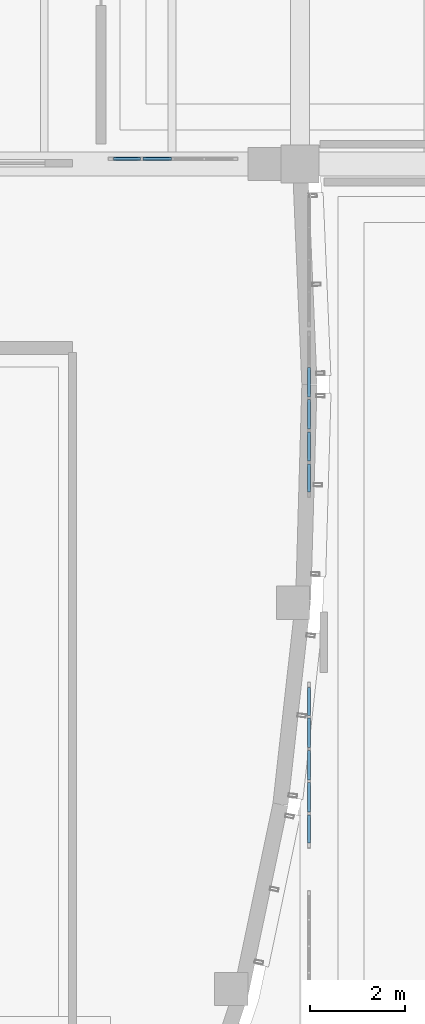
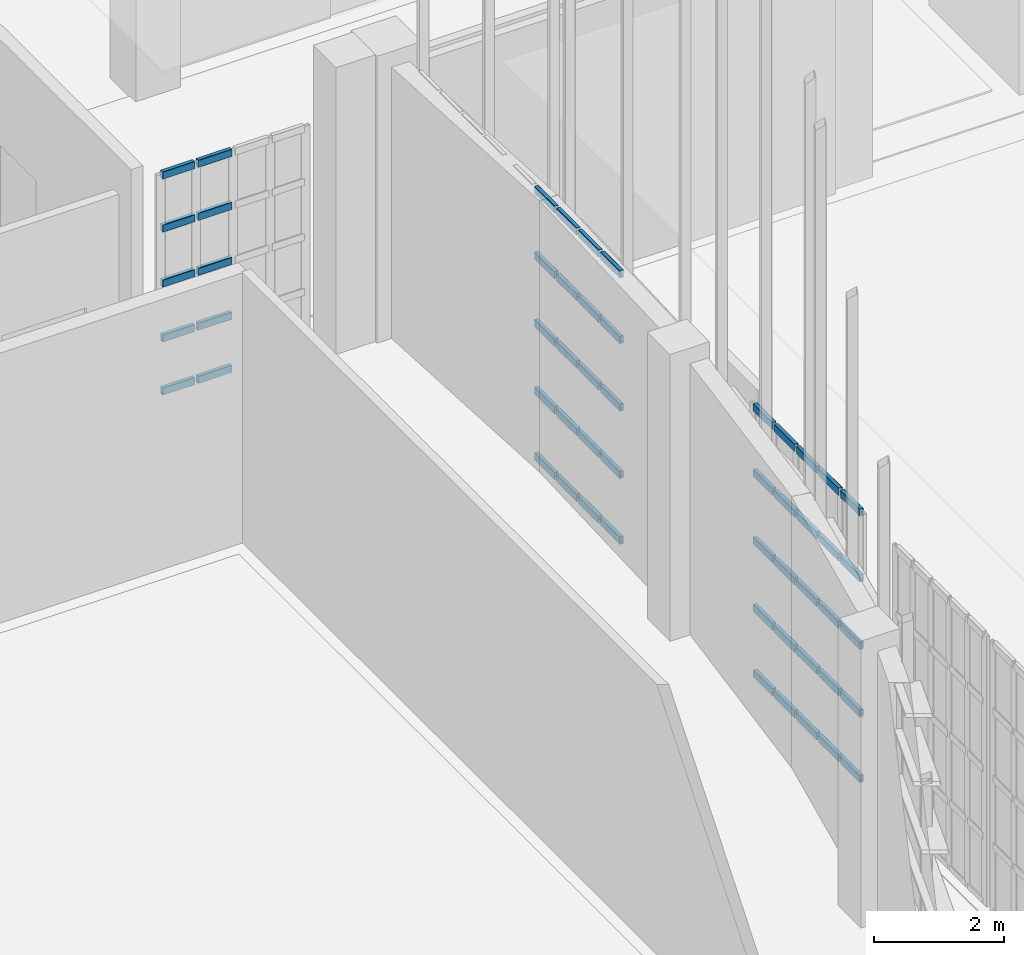
# One storey, part 315 of 372: 55 members, 3 elements without a shape of their own.
"""IFC4 building model written with IfcOpenShell, lengths in metres."""

from ifc_helpers import new_model, si_unit, direction, frame, origin, origin_2d, place, context, subcontext, project, spatial, hollow_rectangle, extrude, material, material_profile, profile_set, type_object, element, aggregate, save


model = new_model("IFC4")

# Units and contexts
model_context = context("Model", 3, precision=1e-05, world=origin(), true_north=direction((0.0, 1.0)))
body_context = subcontext(model_context, "Body", "Model", "MODEL_VIEW")
ifc_project = project(units=[si_unit("LENGTHUNIT", "METRE"), si_unit("AREAUNIT", "SQUARE_METRE"), si_unit("VOLUMEUNIT", "CUBIC_METRE"), si_unit("PLANEANGLEUNIT", "RADIAN"), si_unit("MASSUNIT", "GRAM", prefix="KILO")], contexts=[model_context])

# Site, building, storey
site_placement = place(None, origin())
site = spatial("IfcSite", under=ifc_project, at=site_placement, CompositionType="ELEMENT")
building_placement = place(site_placement, origin())
building = spatial("IfcBuilding", under=site, at=building_placement, Name="Kaelora Sail Theatre", CompositionType="ELEMENT")
storey_placement = place(building_placement, origin())
storey = spatial("IfcBuildingStorey", under=building, at=storey_placement, Name="L00", CompositionType="ELEMENT", Elevation=0.0)

# Curtain wall, members
ifc_material_1 = material(Name="Anodised aluminium and solar-control low-E IGU", Category="aluminium")
curtain_wall_type = type_object("IfcCurtainWallType", Name="ARC-CW-CW-FOY2", PredefinedType="NOTDEFINED", material=ifc_material_1)
curtain_wall_1_placement = place(storey_placement, origin())
curtain_wall_1 = element("IfcCurtainWall", 1, at=curtain_wall_1_placement, inside=storey, type_object=curtain_wall_type, Name="Glazed Foyer/Conservatory Curtain Wall FE1-S-L00-01", PredefinedType="NOTDEFINED")
ifc_material_2 = material(Name="Anodised aluminium 6063-T6", Category="aluminium")
ifc_material_profile = material_profile(ifc_material_2, hollow_rectangle(XDim=0.070068359375, YDim=0.139892578125, WallThickness=0.00390625, InnerFilletRadius=0.00390625, OuterFilletRadius=0.008056640625, at=origin_2d()), Name="ALU-TRAN 70x140x4")
ifc_profile_set = profile_set([ifc_material_profile], Name="Anodised aluminium 6063-T6")
member_type = type_object("IfcMemberType", Name="ARC-MEM-TR-140", PredefinedType="USERDEFINED", material=ifc_profile_set)
member_1_placement = place(storey_placement, frame((143.360107421875, 53.68994140625, 0.034912109375), z_axis=(1.0, 0.0, 0.0), x_axis=(0.0, 1.0, 0.0)))
member_1 = element("IfcMember", 2, at=member_1_placement, type_object=member_type, Name="CW-FOY2 transom 1.1", ObjectType="TRANSOM", PredefinedType="USERDEFINED", context=body_context, shape_type="SweptSolid", body=[
    extrude(hollow_rectangle(XDim=0.070068359375, YDim=0.139892578125, WallThickness=0.00390625, InnerFilletRadius=0.00390625, OuterFilletRadius=0.008056640625, at=origin_2d()), origin(), (0.0, 0.0, 1.0), 0.56982421875),
])
member_2_placement = place(storey_placement, frame((143.360107421875, 53.68994140625, 1.0341796875), z_axis=(1.0, 0.0, 0.0), x_axis=(0.0, 1.0, 0.0)))
member_2 = element("IfcMember", 3, at=member_2_placement, type_object=member_type, Name="CW-FOY2 transom 1.2", ObjectType="TRANSOM", PredefinedType="USERDEFINED", context=body_context, shape_type="SweptSolid", body=[
    extrude(hollow_rectangle(XDim=0.070068359375, YDim=0.139892578125, WallThickness=0.00390625, InnerFilletRadius=0.00390625, OuterFilletRadius=0.008056640625, at=origin_2d()), origin(), (0.0, 0.0, 1.0), 0.56982421875),
])
member_3_placement = place(storey_placement, frame((143.360107421875, 53.68994140625, 2.068603515625), z_axis=(1.0, 0.0, 0.0), x_axis=(0.0, 1.0, 0.0)))
member_3 = element("IfcMember", 4, at=member_3_placement, type_object=member_type, Name="CW-FOY2 transom 1.3", ObjectType="TRANSOM", PredefinedType="USERDEFINED", context=body_context, shape_type="SweptSolid", body=[
    extrude(hollow_rectangle(XDim=0.070068359375, YDim=0.139892578125, WallThickness=0.00390625, InnerFilletRadius=0.00390625, OuterFilletRadius=0.008056640625, at=origin_2d()), origin(), (0.0, 0.0, 1.0), 0.56982421875),
])
member_4_placement = place(storey_placement, frame((143.360107421875, 53.68994140625, 3.102783203125), z_axis=(1.0, 0.0, 0.0), x_axis=(0.0, 1.0, 0.0)))
member_4 = element("IfcMember", 5, at=member_4_placement, type_object=member_type, Name="CW-FOY2 transom 1.4", ObjectType="TRANSOM", PredefinedType="USERDEFINED", context=body_context, shape_type="SweptSolid", body=[
    extrude(hollow_rectangle(XDim=0.070068359375, YDim=0.139892578125, WallThickness=0.00390625, InnerFilletRadius=0.00390625, OuterFilletRadius=0.008056640625, at=origin_2d()), origin(), (0.0, 0.0, 1.0), 0.56982421875),
])
member_5_placement = place(storey_placement, frame((143.360107421875, 53.68994140625, 4.10205078125), z_axis=(1.0, 0.0, 0.0), x_axis=(0.0, 1.0, 0.0)))
member_5 = element("IfcMember", 6, at=member_5_placement, type_object=member_type, Name="CW-FOY2 transom 1.5", ObjectType="TRANSOM", PredefinedType="USERDEFINED", context=body_context, shape_type="SweptSolid", body=[
    extrude(hollow_rectangle(XDim=0.070068359375, YDim=0.139892578125, WallThickness=0.00390625, InnerFilletRadius=0.00390625, OuterFilletRadius=0.008056640625, at=origin_2d()), origin(), (0.0, 0.0, 1.0), 0.56982421875),
])
member_6_placement = place(storey_placement, frame((143.989990234375, 53.68994140625, 0.034912109375), z_axis=(1.0, 0.0, 0.0), x_axis=(0.0, 1.0, 0.0)))
member_6 = element("IfcMember", 7, at=member_6_placement, type_object=member_type, Name="CW-FOY2 transom 2.1", ObjectType="TRANSOM", PredefinedType="USERDEFINED", context=body_context, shape_type="SweptSolid", body=[
    extrude(hollow_rectangle(XDim=0.070068359375, YDim=0.139892578125, WallThickness=0.00390625, InnerFilletRadius=0.00390625, OuterFilletRadius=0.008056640625, at=origin_2d()), origin(), (0.0, 0.0, 1.0), 0.60009765625),
])
member_7_placement = place(storey_placement, frame((143.989990234375, 53.68994140625, 1.0341796875), z_axis=(1.0, 0.0, 0.0), x_axis=(0.0, 1.0, 0.0)))
member_7 = element("IfcMember", 8, at=member_7_placement, type_object=member_type, Name="CW-FOY2 transom 2.2", ObjectType="TRANSOM", PredefinedType="USERDEFINED", context=body_context, shape_type="SweptSolid", body=[
    extrude(hollow_rectangle(XDim=0.070068359375, YDim=0.139892578125, WallThickness=0.00390625, InnerFilletRadius=0.00390625, OuterFilletRadius=0.008056640625, at=origin_2d()), origin(), (0.0, 0.0, 1.0), 0.60009765625),
])
member_8_placement = place(storey_placement, frame((143.989990234375, 53.68994140625, 2.068603515625), z_axis=(1.0, 0.0, 0.0), x_axis=(0.0, 1.0, 0.0)))
member_8 = element("IfcMember", 9, at=member_8_placement, type_object=member_type, Name="CW-FOY2 transom 2.3", ObjectType="TRANSOM", PredefinedType="USERDEFINED", context=body_context, shape_type="SweptSolid", body=[
    extrude(hollow_rectangle(XDim=0.070068359375, YDim=0.139892578125, WallThickness=0.00390625, InnerFilletRadius=0.00390625, OuterFilletRadius=0.008056640625, at=origin_2d()), origin(), (0.0, 0.0, 1.0), 0.60009765625),
])
member_9_placement = place(storey_placement, frame((143.989990234375, 53.68994140625, 3.102783203125), z_axis=(1.0, 0.0, 0.0), x_axis=(0.0, 1.0, 0.0)))
member_9 = element("IfcMember", 10, at=member_9_placement, type_object=member_type, Name="CW-FOY2 transom 2.4", ObjectType="TRANSOM", PredefinedType="USERDEFINED", context=body_context, shape_type="SweptSolid", body=[
    extrude(hollow_rectangle(XDim=0.070068359375, YDim=0.139892578125, WallThickness=0.00390625, InnerFilletRadius=0.00390625, OuterFilletRadius=0.008056640625, at=origin_2d()), origin(), (0.0, 0.0, 1.0), 0.60009765625),
])
member_10_placement = place(storey_placement, frame((143.989990234375, 53.68994140625, 4.10205078125), z_axis=(1.0, 0.0, 0.0), x_axis=(0.0, 1.0, 0.0)))
member_10 = element("IfcMember", 11, at=member_10_placement, type_object=member_type, Name="CW-FOY2 transom 2.5", ObjectType="TRANSOM", PredefinedType="USERDEFINED", context=body_context, shape_type="SweptSolid", body=[
    extrude(hollow_rectangle(XDim=0.070068359375, YDim=0.139892578125, WallThickness=0.00390625, InnerFilletRadius=0.00390625, OuterFilletRadius=0.008056640625, at=origin_2d()), origin(), (0.0, 0.0, 1.0), 0.60009765625),
])
aggregate(curtain_wall_1, [member_1, member_2, member_3, member_4, member_5, member_6, member_7, member_8, member_9, member_10])

curtain_wall_2_placement = place(storey_placement, origin())
curtain_wall_2 = element("IfcCurtainWall", 12, at=curtain_wall_2_placement, inside=storey, type_object=curtain_wall_type, Name="Glazed Colonnade/Courtyard Curtain Wall COLE-W-L00-03", PredefinedType="NOTDEFINED")
member_11_placement = place(storey_placement, frame((147.489990234375, 39.260009765625, 0.034912109375), z_axis=(0.0, 1.0, 0.0), x_axis=(-1.0, 0.0, 0.0)))
member_11 = element("IfcMember", 13, at=member_11_placement, type_object=member_type, Name="CW-FOY2 transom 1.1", ObjectType="TRANSOM", PredefinedType="USERDEFINED", context=body_context, shape_type="SweptSolid", body=[
    extrude(hollow_rectangle(XDim=0.070068359375, YDim=0.139892578125, WallThickness=0.00390625, InnerFilletRadius=0.00390625, OuterFilletRadius=0.008056640625, at=origin_2d()), origin(), (0.0, 0.0, 1.0), 0.590087890625),
])
member_12_placement = place(storey_placement, frame((147.489990234375, 39.260009765625, 1.271240234375), z_axis=(0.0, 1.0, 0.0), x_axis=(-1.0, 0.0, 0.0)))
member_12 = element("IfcMember", 14, at=member_12_placement, type_object=member_type, Name="CW-FOY2 transom 1.2", ObjectType="TRANSOM", PredefinedType="USERDEFINED", context=body_context, shape_type="SweptSolid", body=[
    extrude(hollow_rectangle(XDim=0.070068359375, YDim=0.139892578125, WallThickness=0.00390625, InnerFilletRadius=0.00390625, OuterFilletRadius=0.008056640625, at=origin_2d()), origin(), (0.0, 0.0, 1.0), 0.590087890625),
])
member_13_placement = place(storey_placement, frame((147.489990234375, 39.260009765625, 2.54248046875), z_axis=(0.0, 1.0, 0.0), x_axis=(-1.0, 0.0, 0.0)))
member_13 = element("IfcMember", 15, at=member_13_placement, type_object=member_type, Name="CW-FOY2 transom 1.3", ObjectType="TRANSOM", PredefinedType="USERDEFINED", context=body_context, shape_type="SweptSolid", body=[
    extrude(hollow_rectangle(XDim=0.070068359375, YDim=0.139892578125, WallThickness=0.00390625, InnerFilletRadius=0.00390625, OuterFilletRadius=0.008056640625, at=origin_2d()), origin(), (0.0, 0.0, 1.0), 0.590087890625),
])
member_14_placement = place(storey_placement, frame((147.489990234375, 39.260009765625, 3.813720703125), z_axis=(0.0, 1.0, 0.0), x_axis=(-1.0, 0.0, 0.0)))
member_14 = element("IfcMember", 16, at=member_14_placement, type_object=member_type, Name="CW-FOY2 transom 1.4", ObjectType="TRANSOM", PredefinedType="USERDEFINED", context=body_context, shape_type="SweptSolid", body=[
    extrude(hollow_rectangle(XDim=0.070068359375, YDim=0.139892578125, WallThickness=0.00390625, InnerFilletRadius=0.00390625, OuterFilletRadius=0.008056640625, at=origin_2d()), origin(), (0.0, 0.0, 1.0), 0.590087890625),
])
member_15_placement = place(storey_placement, frame((147.489990234375, 39.260009765625, 5.050048828125), z_axis=(0.0, 1.0, 0.0), x_axis=(-1.0, 0.0, 0.0)))
member_15 = element("IfcMember", 17, at=member_15_placement, type_object=member_type, Name="CW-FOY2 transom 1.5", ObjectType="TRANSOM", PredefinedType="USERDEFINED", context=body_context, shape_type="SweptSolid", body=[
    extrude(hollow_rectangle(XDim=0.070068359375, YDim=0.139892578125, WallThickness=0.00390625, InnerFilletRadius=0.00390625, OuterFilletRadius=0.008056640625, at=origin_2d()), origin(), (0.0, 0.0, 1.0), 0.590087890625),
])
member_16_placement = place(storey_placement, frame((147.489990234375, 39.909912109375, 0.034912109375), z_axis=(0.0, 1.0, 0.0), x_axis=(-1.0, 0.0, 0.0)))
member_16 = element("IfcMember", 18, at=member_16_placement, type_object=member_type, Name="CW-FOY2 transom 2.1", ObjectType="TRANSOM", PredefinedType="USERDEFINED", context=body_context, shape_type="SweptSolid", body=[
    extrude(hollow_rectangle(XDim=0.070068359375, YDim=0.139892578125, WallThickness=0.00390625, InnerFilletRadius=0.00390625, OuterFilletRadius=0.008056640625, at=origin_2d()), origin(), (0.0, 0.0, 1.0), 0.6201171875),
])
member_17_placement = place(storey_placement, frame((147.489990234375, 39.909912109375, 1.271240234375), z_axis=(0.0, 1.0, 0.0), x_axis=(-1.0, 0.0, 0.0)))
member_17 = element("IfcMember", 19, at=member_17_placement, type_object=member_type, Name="CW-FOY2 transom 2.2", ObjectType="TRANSOM", PredefinedType="USERDEFINED", context=body_context, shape_type="SweptSolid", body=[
    extrude(hollow_rectangle(XDim=0.070068359375, YDim=0.139892578125, WallThickness=0.00390625, InnerFilletRadius=0.00390625, OuterFilletRadius=0.008056640625, at=origin_2d()), origin(), (0.0, 0.0, 1.0), 0.6201171875),
])
member_18_placement = place(storey_placement, frame((147.489990234375, 39.909912109375, 2.54248046875), z_axis=(0.0, 1.0, 0.0), x_axis=(-1.0, 0.0, 0.0)))
member_18 = element("IfcMember", 20, at=member_18_placement, type_object=member_type, Name="CW-FOY2 transom 2.3", ObjectType="TRANSOM", PredefinedType="USERDEFINED", context=body_context, shape_type="SweptSolid", body=[
    extrude(hollow_rectangle(XDim=0.070068359375, YDim=0.139892578125, WallThickness=0.00390625, InnerFilletRadius=0.00390625, OuterFilletRadius=0.008056640625, at=origin_2d()), origin(), (0.0, 0.0, 1.0), 0.6201171875),
])
member_19_placement = place(storey_placement, frame((147.489990234375, 39.909912109375, 3.813720703125), z_axis=(0.0, 1.0, 0.0), x_axis=(-1.0, 0.0, 0.0)))
member_19 = element("IfcMember", 21, at=member_19_placement, type_object=member_type, Name="CW-FOY2 transom 2.4", ObjectType="TRANSOM", PredefinedType="USERDEFINED", context=body_context, shape_type="SweptSolid", body=[
    extrude(hollow_rectangle(XDim=0.070068359375, YDim=0.139892578125, WallThickness=0.00390625, InnerFilletRadius=0.00390625, OuterFilletRadius=0.008056640625, at=origin_2d()), origin(), (0.0, 0.0, 1.0), 0.6201171875),
])
member_20_placement = place(storey_placement, frame((147.489990234375, 39.909912109375, 5.050048828125), z_axis=(0.0, 1.0, 0.0), x_axis=(-1.0, 0.0, 0.0)))
member_20 = element("IfcMember", 22, at=member_20_placement, type_object=member_type, Name="CW-FOY2 transom 2.5", ObjectType="TRANSOM", PredefinedType="USERDEFINED", context=body_context, shape_type="SweptSolid", body=[
    extrude(hollow_rectangle(XDim=0.070068359375, YDim=0.139892578125, WallThickness=0.00390625, InnerFilletRadius=0.00390625, OuterFilletRadius=0.008056640625, at=origin_2d()), origin(), (0.0, 0.0, 1.0), 0.6201171875),
])
member_21_placement = place(storey_placement, frame((147.489990234375, 40.590087890625, 0.034912109375), z_axis=(0.0, 1.0, 0.0), x_axis=(-1.0, 0.0, 0.0)))
member_21 = element("IfcMember", 23, at=member_21_placement, type_object=member_type, Name="CW-FOY2 transom 3.1", ObjectType="TRANSOM", PredefinedType="USERDEFINED", context=body_context, shape_type="SweptSolid", body=[
    extrude(hollow_rectangle(XDim=0.070068359375, YDim=0.139892578125, WallThickness=0.00390625, InnerFilletRadius=0.00390625, OuterFilletRadius=0.008056640625, at=origin_2d()), origin(), (0.0, 0.0, 1.0), 0.619873046875),
])
member_22_placement = place(storey_placement, frame((147.489990234375, 40.590087890625, 1.271240234375), z_axis=(0.0, 1.0, 0.0), x_axis=(-1.0, 0.0, 0.0)))
member_22 = element("IfcMember", 24, at=member_22_placement, type_object=member_type, Name="CW-FOY2 transom 3.2", ObjectType="TRANSOM", PredefinedType="USERDEFINED", context=body_context, shape_type="SweptSolid", body=[
    extrude(hollow_rectangle(XDim=0.070068359375, YDim=0.139892578125, WallThickness=0.00390625, InnerFilletRadius=0.00390625, OuterFilletRadius=0.008056640625, at=origin_2d()), origin(), (0.0, 0.0, 1.0), 0.619873046875),
])
member_23_placement = place(storey_placement, frame((147.489990234375, 40.590087890625, 2.54248046875), z_axis=(0.0, 1.0, 0.0), x_axis=(-1.0, 0.0, 0.0)))
member_23 = element("IfcMember", 25, at=member_23_placement, type_object=member_type, Name="CW-FOY2 transom 3.3", ObjectType="TRANSOM", PredefinedType="USERDEFINED", context=body_context, shape_type="SweptSolid", body=[
    extrude(hollow_rectangle(XDim=0.070068359375, YDim=0.139892578125, WallThickness=0.00390625, InnerFilletRadius=0.00390625, OuterFilletRadius=0.008056640625, at=origin_2d()), origin(), (0.0, 0.0, 1.0), 0.619873046875),
])
member_24_placement = place(storey_placement, frame((147.489990234375, 40.590087890625, 3.813720703125), z_axis=(0.0, 1.0, 0.0), x_axis=(-1.0, 0.0, 0.0)))
member_24 = element("IfcMember", 26, at=member_24_placement, type_object=member_type, Name="CW-FOY2 transom 3.4", ObjectType="TRANSOM", PredefinedType="USERDEFINED", context=body_context, shape_type="SweptSolid", body=[
    extrude(hollow_rectangle(XDim=0.070068359375, YDim=0.139892578125, WallThickness=0.00390625, InnerFilletRadius=0.00390625, OuterFilletRadius=0.008056640625, at=origin_2d()), origin(), (0.0, 0.0, 1.0), 0.619873046875),
])
member_25_placement = place(storey_placement, frame((147.489990234375, 40.590087890625, 5.050048828125), z_axis=(0.0, 1.0, 0.0), x_axis=(-1.0, 0.0, 0.0)))
member_25 = element("IfcMember", 27, at=member_25_placement, type_object=member_type, Name="CW-FOY2 transom 3.5", ObjectType="TRANSOM", PredefinedType="USERDEFINED", context=body_context, shape_type="SweptSolid", body=[
    extrude(hollow_rectangle(XDim=0.070068359375, YDim=0.139892578125, WallThickness=0.00390625, InnerFilletRadius=0.00390625, OuterFilletRadius=0.008056640625, at=origin_2d()), origin(), (0.0, 0.0, 1.0), 0.619873046875),
])
member_26_placement = place(storey_placement, frame((147.489990234375, 41.27001953125, 0.034912109375), z_axis=(0.0, 1.0, 0.0), x_axis=(-1.0, 0.0, 0.0)))
member_26 = element("IfcMember", 28, at=member_26_placement, type_object=member_type, Name="CW-FOY2 transom 4.1", ObjectType="TRANSOM", PredefinedType="USERDEFINED", context=body_context, shape_type="SweptSolid", body=[
    extrude(hollow_rectangle(XDim=0.070068359375, YDim=0.139892578125, WallThickness=0.00390625, InnerFilletRadius=0.00390625, OuterFilletRadius=0.008056640625, at=origin_2d()), origin(), (0.0, 0.0, 1.0), 0.619873046875),
])
member_27_placement = place(storey_placement, frame((147.489990234375, 41.27001953125, 1.271240234375), z_axis=(0.0, 1.0, 0.0), x_axis=(-1.0, 0.0, 0.0)))
member_27 = element("IfcMember", 29, at=member_27_placement, type_object=member_type, Name="CW-FOY2 transom 4.2", ObjectType="TRANSOM", PredefinedType="USERDEFINED", context=body_context, shape_type="SweptSolid", body=[
    extrude(hollow_rectangle(XDim=0.070068359375, YDim=0.139892578125, WallThickness=0.00390625, InnerFilletRadius=0.00390625, OuterFilletRadius=0.008056640625, at=origin_2d()), origin(), (0.0, 0.0, 1.0), 0.619873046875),
])
member_28_placement = place(storey_placement, frame((147.489990234375, 41.27001953125, 2.54248046875), z_axis=(0.0, 1.0, 0.0), x_axis=(-1.0, 0.0, 0.0)))
member_28 = element("IfcMember", 30, at=member_28_placement, type_object=member_type, Name="CW-FOY2 transom 4.3", ObjectType="TRANSOM", PredefinedType="USERDEFINED", context=body_context, shape_type="SweptSolid", body=[
    extrude(hollow_rectangle(XDim=0.070068359375, YDim=0.139892578125, WallThickness=0.00390625, InnerFilletRadius=0.00390625, OuterFilletRadius=0.008056640625, at=origin_2d()), origin(), (0.0, 0.0, 1.0), 0.619873046875),
])
member_29_placement = place(storey_placement, frame((147.489990234375, 41.27001953125, 3.813720703125), z_axis=(0.0, 1.0, 0.0), x_axis=(-1.0, 0.0, 0.0)))
member_29 = element("IfcMember", 31, at=member_29_placement, type_object=member_type, Name="CW-FOY2 transom 4.4", ObjectType="TRANSOM", PredefinedType="USERDEFINED", context=body_context, shape_type="SweptSolid", body=[
    extrude(hollow_rectangle(XDim=0.070068359375, YDim=0.139892578125, WallThickness=0.00390625, InnerFilletRadius=0.00390625, OuterFilletRadius=0.008056640625, at=origin_2d()), origin(), (0.0, 0.0, 1.0), 0.619873046875),
])
member_30_placement = place(storey_placement, frame((147.489990234375, 41.27001953125, 5.050048828125), z_axis=(0.0, 1.0, 0.0), x_axis=(-1.0, 0.0, 0.0)))
member_30 = element("IfcMember", 32, at=member_30_placement, type_object=member_type, Name="CW-FOY2 transom 4.5", ObjectType="TRANSOM", PredefinedType="USERDEFINED", context=body_context, shape_type="SweptSolid", body=[
    extrude(hollow_rectangle(XDim=0.070068359375, YDim=0.139892578125, WallThickness=0.00390625, InnerFilletRadius=0.00390625, OuterFilletRadius=0.008056640625, at=origin_2d()), origin(), (0.0, 0.0, 1.0), 0.619873046875),
])
member_31_placement = place(storey_placement, frame((147.489990234375, 41.949951171875, 0.034912109375), z_axis=(0.0, 1.0, 0.0), x_axis=(-1.0, 0.0, 0.0)))
member_31 = element("IfcMember", 33, at=member_31_placement, type_object=member_type, Name="CW-FOY2 transom 5.1", ObjectType="TRANSOM", PredefinedType="USERDEFINED", context=body_context, shape_type="SweptSolid", body=[
    extrude(hollow_rectangle(XDim=0.070068359375, YDim=0.139892578125, WallThickness=0.00390625, InnerFilletRadius=0.00390625, OuterFilletRadius=0.008056640625, at=origin_2d()), origin(), (0.0, 0.0, 1.0), 0.590087890625),
])
member_32_placement = place(storey_placement, frame((147.489990234375, 41.949951171875, 1.271240234375), z_axis=(0.0, 1.0, 0.0), x_axis=(-1.0, 0.0, 0.0)))
member_32 = element("IfcMember", 34, at=member_32_placement, type_object=member_type, Name="CW-FOY2 transom 5.2", ObjectType="TRANSOM", PredefinedType="USERDEFINED", context=body_context, shape_type="SweptSolid", body=[
    extrude(hollow_rectangle(XDim=0.070068359375, YDim=0.139892578125, WallThickness=0.00390625, InnerFilletRadius=0.00390625, OuterFilletRadius=0.008056640625, at=origin_2d()), origin(), (0.0, 0.0, 1.0), 0.590087890625),
])
member_33_placement = place(storey_placement, frame((147.489990234375, 41.949951171875, 2.54248046875), z_axis=(0.0, 1.0, 0.0), x_axis=(-1.0, 0.0, 0.0)))
member_33 = element("IfcMember", 35, at=member_33_placement, type_object=member_type, Name="CW-FOY2 transom 5.3", ObjectType="TRANSOM", PredefinedType="USERDEFINED", context=body_context, shape_type="SweptSolid", body=[
    extrude(hollow_rectangle(XDim=0.070068359375, YDim=0.139892578125, WallThickness=0.00390625, InnerFilletRadius=0.00390625, OuterFilletRadius=0.008056640625, at=origin_2d()), origin(), (0.0, 0.0, 1.0), 0.590087890625),
])
member_34_placement = place(storey_placement, frame((147.489990234375, 41.949951171875, 3.813720703125), z_axis=(0.0, 1.0, 0.0), x_axis=(-1.0, 0.0, 0.0)))
member_34 = element("IfcMember", 36, at=member_34_placement, type_object=member_type, Name="CW-FOY2 transom 5.4", ObjectType="TRANSOM", PredefinedType="USERDEFINED", context=body_context, shape_type="SweptSolid", body=[
    extrude(hollow_rectangle(XDim=0.070068359375, YDim=0.139892578125, WallThickness=0.00390625, InnerFilletRadius=0.00390625, OuterFilletRadius=0.008056640625, at=origin_2d()), origin(), (0.0, 0.0, 1.0), 0.590087890625),
])
member_35_placement = place(storey_placement, frame((147.489990234375, 41.949951171875, 5.050048828125), z_axis=(0.0, 1.0, 0.0), x_axis=(-1.0, 0.0, 0.0)))
member_35 = element("IfcMember", 37, at=member_35_placement, type_object=member_type, Name="CW-FOY2 transom 5.5", ObjectType="TRANSOM", PredefinedType="USERDEFINED", context=body_context, shape_type="SweptSolid", body=[
    extrude(hollow_rectangle(XDim=0.070068359375, YDim=0.139892578125, WallThickness=0.00390625, InnerFilletRadius=0.00390625, OuterFilletRadius=0.008056640625, at=origin_2d()), origin(), (0.0, 0.0, 1.0), 0.590087890625),
])
aggregate(curtain_wall_2, [member_11, member_12, member_13, member_14, member_15, member_16, member_17, member_18, member_19, member_20, member_21, member_22, member_23, member_24, member_25, member_26, member_27, member_28, member_29, member_30, member_31, member_32, member_33, member_34, member_35])

curtain_wall_3_placement = place(storey_placement, origin())
curtain_wall_3 = element("IfcCurtainWall", 38, at=curtain_wall_3_placement, inside=storey, type_object=curtain_wall_type, Name="Glazed Colonnade/Courtyard Curtain Wall COLE-W-L00-05", PredefinedType="NOTDEFINED")
member_36_placement = place(storey_placement, frame((147.489990234375, 46.659912109375, 0.034912109375), z_axis=(0.0, 1.0, 0.0), x_axis=(-1.0, 0.0, 0.0)))
member_36 = element("IfcMember", 39, at=member_36_placement, type_object=member_type, Name="CW-FOY2 transom 1.1", ObjectType="TRANSOM", PredefinedType="USERDEFINED", context=body_context, shape_type="SweptSolid", body=[
    extrude(hollow_rectangle(XDim=0.070068359375, YDim=0.139892578125, WallThickness=0.00390625, InnerFilletRadius=0.00390625, OuterFilletRadius=0.008056640625, at=origin_2d()), origin(), (0.0, 0.0, 1.0), 0.590087890625),
])
member_37_placement = place(storey_placement, frame((147.489990234375, 46.659912109375, 1.271240234375), z_axis=(0.0, 1.0, 0.0), x_axis=(-1.0, 0.0, 0.0)))
member_37 = element("IfcMember", 40, at=member_37_placement, type_object=member_type, Name="CW-FOY2 transom 1.2", ObjectType="TRANSOM", PredefinedType="USERDEFINED", context=body_context, shape_type="SweptSolid", body=[
    extrude(hollow_rectangle(XDim=0.070068359375, YDim=0.139892578125, WallThickness=0.00390625, InnerFilletRadius=0.00390625, OuterFilletRadius=0.008056640625, at=origin_2d()), origin(), (0.0, 0.0, 1.0), 0.590087890625),
])
member_38_placement = place(storey_placement, frame((147.489990234375, 46.659912109375, 2.54248046875), z_axis=(0.0, 1.0, 0.0), x_axis=(-1.0, 0.0, 0.0)))
member_38 = element("IfcMember", 41, at=member_38_placement, type_object=member_type, Name="CW-FOY2 transom 1.3", ObjectType="TRANSOM", PredefinedType="USERDEFINED", context=body_context, shape_type="SweptSolid", body=[
    extrude(hollow_rectangle(XDim=0.070068359375, YDim=0.139892578125, WallThickness=0.00390625, InnerFilletRadius=0.00390625, OuterFilletRadius=0.008056640625, at=origin_2d()), origin(), (0.0, 0.0, 1.0), 0.590087890625),
])
member_39_placement = place(storey_placement, frame((147.489990234375, 46.659912109375, 3.813720703125), z_axis=(0.0, 1.0, 0.0), x_axis=(-1.0, 0.0, 0.0)))
member_39 = element("IfcMember", 42, at=member_39_placement, type_object=member_type, Name="CW-FOY2 transom 1.4", ObjectType="TRANSOM", PredefinedType="USERDEFINED", context=body_context, shape_type="SweptSolid", body=[
    extrude(hollow_rectangle(XDim=0.070068359375, YDim=0.139892578125, WallThickness=0.00390625, InnerFilletRadius=0.00390625, OuterFilletRadius=0.008056640625, at=origin_2d()), origin(), (0.0, 0.0, 1.0), 0.590087890625),
])
member_40_placement = place(storey_placement, frame((147.489990234375, 46.659912109375, 5.050048828125), z_axis=(0.0, 1.0, 0.0), x_axis=(-1.0, 0.0, 0.0)))
member_40 = element("IfcMember", 43, at=member_40_placement, type_object=member_type, Name="CW-FOY2 transom 1.5", ObjectType="TRANSOM", PredefinedType="USERDEFINED", context=body_context, shape_type="SweptSolid", body=[
    extrude(hollow_rectangle(XDim=0.070068359375, YDim=0.139892578125, WallThickness=0.00390625, InnerFilletRadius=0.00390625, OuterFilletRadius=0.008056640625, at=origin_2d()), origin(), (0.0, 0.0, 1.0), 0.590087890625),
])
member_41_placement = place(storey_placement, frame((147.489990234375, 47.31005859375, 0.034912109375), z_axis=(0.0, 1.0, 0.0), x_axis=(-1.0, 0.0, 0.0)))
member_41 = element("IfcMember", 44, at=member_41_placement, type_object=member_type, Name="CW-FOY2 transom 2.1", ObjectType="TRANSOM", PredefinedType="USERDEFINED", context=body_context, shape_type="SweptSolid", body=[
    extrude(hollow_rectangle(XDim=0.070068359375, YDim=0.139892578125, WallThickness=0.00390625, InnerFilletRadius=0.00390625, OuterFilletRadius=0.008056640625, at=origin_2d()), origin(), (0.0, 0.0, 1.0), 0.619873046875),
])
member_42_placement = place(storey_placement, frame((147.489990234375, 47.31005859375, 1.271240234375), z_axis=(0.0, 1.0, 0.0), x_axis=(-1.0, 0.0, 0.0)))
member_42 = element("IfcMember", 45, at=member_42_placement, type_object=member_type, Name="CW-FOY2 transom 2.2", ObjectType="TRANSOM", PredefinedType="USERDEFINED", context=body_context, shape_type="SweptSolid", body=[
    extrude(hollow_rectangle(XDim=0.070068359375, YDim=0.139892578125, WallThickness=0.00390625, InnerFilletRadius=0.00390625, OuterFilletRadius=0.008056640625, at=origin_2d()), origin(), (0.0, 0.0, 1.0), 0.619873046875),
])
member_43_placement = place(storey_placement, frame((147.489990234375, 47.31005859375, 2.54248046875), z_axis=(0.0, 1.0, 0.0), x_axis=(-1.0, 0.0, 0.0)))
member_43 = element("IfcMember", 46, at=member_43_placement, type_object=member_type, Name="CW-FOY2 transom 2.3", ObjectType="TRANSOM", PredefinedType="USERDEFINED", context=body_context, shape_type="SweptSolid", body=[
    extrude(hollow_rectangle(XDim=0.070068359375, YDim=0.139892578125, WallThickness=0.00390625, InnerFilletRadius=0.00390625, OuterFilletRadius=0.008056640625, at=origin_2d()), origin(), (0.0, 0.0, 1.0), 0.619873046875),
])
member_44_placement = place(storey_placement, frame((147.489990234375, 47.31005859375, 3.813720703125), z_axis=(0.0, 1.0, 0.0), x_axis=(-1.0, 0.0, 0.0)))
member_44 = element("IfcMember", 47, at=member_44_placement, type_object=member_type, Name="CW-FOY2 transom 2.4", ObjectType="TRANSOM", PredefinedType="USERDEFINED", context=body_context, shape_type="SweptSolid", body=[
    extrude(hollow_rectangle(XDim=0.070068359375, YDim=0.139892578125, WallThickness=0.00390625, InnerFilletRadius=0.00390625, OuterFilletRadius=0.008056640625, at=origin_2d()), origin(), (0.0, 0.0, 1.0), 0.619873046875),
])
member_45_placement = place(storey_placement, frame((147.489990234375, 47.31005859375, 5.050048828125), z_axis=(0.0, 1.0, 0.0), x_axis=(-1.0, 0.0, 0.0)))
member_45 = element("IfcMember", 48, at=member_45_placement, type_object=member_type, Name="CW-FOY2 transom 2.5", ObjectType="TRANSOM", PredefinedType="USERDEFINED", context=body_context, shape_type="SweptSolid", body=[
    extrude(hollow_rectangle(XDim=0.070068359375, YDim=0.139892578125, WallThickness=0.00390625, InnerFilletRadius=0.00390625, OuterFilletRadius=0.008056640625, at=origin_2d()), origin(), (0.0, 0.0, 1.0), 0.619873046875),
])
member_46_placement = place(storey_placement, frame((147.489990234375, 47.989990234375, 0.034912109375), z_axis=(0.0, 1.0, 0.0), x_axis=(-1.0, 0.0, 0.0)))
member_46 = element("IfcMember", 49, at=member_46_placement, type_object=member_type, Name="CW-FOY2 transom 3.1", ObjectType="TRANSOM", PredefinedType="USERDEFINED", context=body_context, shape_type="SweptSolid", body=[
    extrude(hollow_rectangle(XDim=0.070068359375, YDim=0.139892578125, WallThickness=0.00390625, InnerFilletRadius=0.00390625, OuterFilletRadius=0.008056640625, at=origin_2d()), origin(), (0.0, 0.0, 1.0), 0.6201171875),
])
member_47_placement = place(storey_placement, frame((147.489990234375, 47.989990234375, 1.271240234375), z_axis=(0.0, 1.0, 0.0), x_axis=(-1.0, 0.0, 0.0)))
member_47 = element("IfcMember", 50, at=member_47_placement, type_object=member_type, Name="CW-FOY2 transom 3.2", ObjectType="TRANSOM", PredefinedType="USERDEFINED", context=body_context, shape_type="SweptSolid", body=[
    extrude(hollow_rectangle(XDim=0.070068359375, YDim=0.139892578125, WallThickness=0.00390625, InnerFilletRadius=0.00390625, OuterFilletRadius=0.008056640625, at=origin_2d()), origin(), (0.0, 0.0, 1.0), 0.6201171875),
])
member_48_placement = place(storey_placement, frame((147.489990234375, 47.989990234375, 2.54248046875), z_axis=(0.0, 1.0, 0.0), x_axis=(-1.0, 0.0, 0.0)))
member_48 = element("IfcMember", 51, at=member_48_placement, type_object=member_type, Name="CW-FOY2 transom 3.3", ObjectType="TRANSOM", PredefinedType="USERDEFINED", context=body_context, shape_type="SweptSolid", body=[
    extrude(hollow_rectangle(XDim=0.070068359375, YDim=0.139892578125, WallThickness=0.00390625, InnerFilletRadius=0.00390625, OuterFilletRadius=0.008056640625, at=origin_2d()), origin(), (0.0, 0.0, 1.0), 0.6201171875),
])
member_49_placement = place(storey_placement, frame((147.489990234375, 47.989990234375, 3.813720703125), z_axis=(0.0, 1.0, 0.0), x_axis=(-1.0, 0.0, 0.0)))
member_49 = element("IfcMember", 52, at=member_49_placement, type_object=member_type, Name="CW-FOY2 transom 3.4", ObjectType="TRANSOM", PredefinedType="USERDEFINED", context=body_context, shape_type="SweptSolid", body=[
    extrude(hollow_rectangle(XDim=0.070068359375, YDim=0.139892578125, WallThickness=0.00390625, InnerFilletRadius=0.00390625, OuterFilletRadius=0.008056640625, at=origin_2d()), origin(), (0.0, 0.0, 1.0), 0.6201171875),
])
member_50_placement = place(storey_placement, frame((147.489990234375, 47.989990234375, 5.050048828125), z_axis=(0.0, 1.0, 0.0), x_axis=(-1.0, 0.0, 0.0)))
member_50 = element("IfcMember", 53, at=member_50_placement, type_object=member_type, Name="CW-FOY2 transom 3.5", ObjectType="TRANSOM", PredefinedType="USERDEFINED", context=body_context, shape_type="SweptSolid", body=[
    extrude(hollow_rectangle(XDim=0.070068359375, YDim=0.139892578125, WallThickness=0.00390625, InnerFilletRadius=0.00390625, OuterFilletRadius=0.008056640625, at=origin_2d()), origin(), (0.0, 0.0, 1.0), 0.6201171875),
])
member_51_placement = place(storey_placement, frame((147.489990234375, 48.669921875, 0.034912109375), z_axis=(0.0, 1.0, 0.0), x_axis=(-1.0, 0.0, 0.0)))
member_51 = element("IfcMember", 54, at=member_51_placement, type_object=member_type, Name="CW-FOY2 transom 4.1", ObjectType="TRANSOM", PredefinedType="USERDEFINED", context=body_context, shape_type="SweptSolid", body=[
    extrude(hollow_rectangle(XDim=0.070068359375, YDim=0.139892578125, WallThickness=0.00390625, InnerFilletRadius=0.00390625, OuterFilletRadius=0.008056640625, at=origin_2d()), origin(), (0.0, 0.0, 1.0), 0.6201171875),
])
member_52_placement = place(storey_placement, frame((147.489990234375, 48.669921875, 1.271240234375), z_axis=(0.0, 1.0, 0.0), x_axis=(-1.0, 0.0, 0.0)))
member_52 = element("IfcMember", 55, at=member_52_placement, type_object=member_type, Name="CW-FOY2 transom 4.2", ObjectType="TRANSOM", PredefinedType="USERDEFINED", context=body_context, shape_type="SweptSolid", body=[
    extrude(hollow_rectangle(XDim=0.070068359375, YDim=0.139892578125, WallThickness=0.00390625, InnerFilletRadius=0.00390625, OuterFilletRadius=0.008056640625, at=origin_2d()), origin(), (0.0, 0.0, 1.0), 0.6201171875),
])
member_53_placement = place(storey_placement, frame((147.489990234375, 48.669921875, 2.54248046875), z_axis=(0.0, 1.0, 0.0), x_axis=(-1.0, 0.0, 0.0)))
member_53 = element("IfcMember", 56, at=member_53_placement, type_object=member_type, Name="CW-FOY2 transom 4.3", ObjectType="TRANSOM", PredefinedType="USERDEFINED", context=body_context, shape_type="SweptSolid", body=[
    extrude(hollow_rectangle(XDim=0.070068359375, YDim=0.139892578125, WallThickness=0.00390625, InnerFilletRadius=0.00390625, OuterFilletRadius=0.008056640625, at=origin_2d()), origin(), (0.0, 0.0, 1.0), 0.6201171875),
])
member_54_placement = place(storey_placement, frame((147.489990234375, 48.669921875, 3.813720703125), z_axis=(0.0, 1.0, 0.0), x_axis=(-1.0, 0.0, 0.0)))
member_54 = element("IfcMember", 57, at=member_54_placement, type_object=member_type, Name="CW-FOY2 transom 4.4", ObjectType="TRANSOM", PredefinedType="USERDEFINED", context=body_context, shape_type="SweptSolid", body=[
    extrude(hollow_rectangle(XDim=0.070068359375, YDim=0.139892578125, WallThickness=0.00390625, InnerFilletRadius=0.00390625, OuterFilletRadius=0.008056640625, at=origin_2d()), origin(), (0.0, 0.0, 1.0), 0.6201171875),
])
member_55_placement = place(storey_placement, frame((147.489990234375, 48.669921875, 5.050048828125), z_axis=(0.0, 1.0, 0.0), x_axis=(-1.0, 0.0, 0.0)))
member_55 = element("IfcMember", 58, at=member_55_placement, type_object=member_type, Name="CW-FOY2 transom 4.5", ObjectType="TRANSOM", PredefinedType="USERDEFINED", context=body_context, shape_type="SweptSolid", body=[
    extrude(hollow_rectangle(XDim=0.070068359375, YDim=0.139892578125, WallThickness=0.00390625, InnerFilletRadius=0.00390625, OuterFilletRadius=0.008056640625, at=origin_2d()), origin(), (0.0, 0.0, 1.0), 0.6201171875),
])
aggregate(curtain_wall_3, [member_36, member_37, member_38, member_39, member_40, member_41, member_42, member_43, member_44, member_45, member_46, member_47, member_48, member_49, member_50, member_51, member_52, member_53, member_54, member_55])

save(model, "model.ifc")
